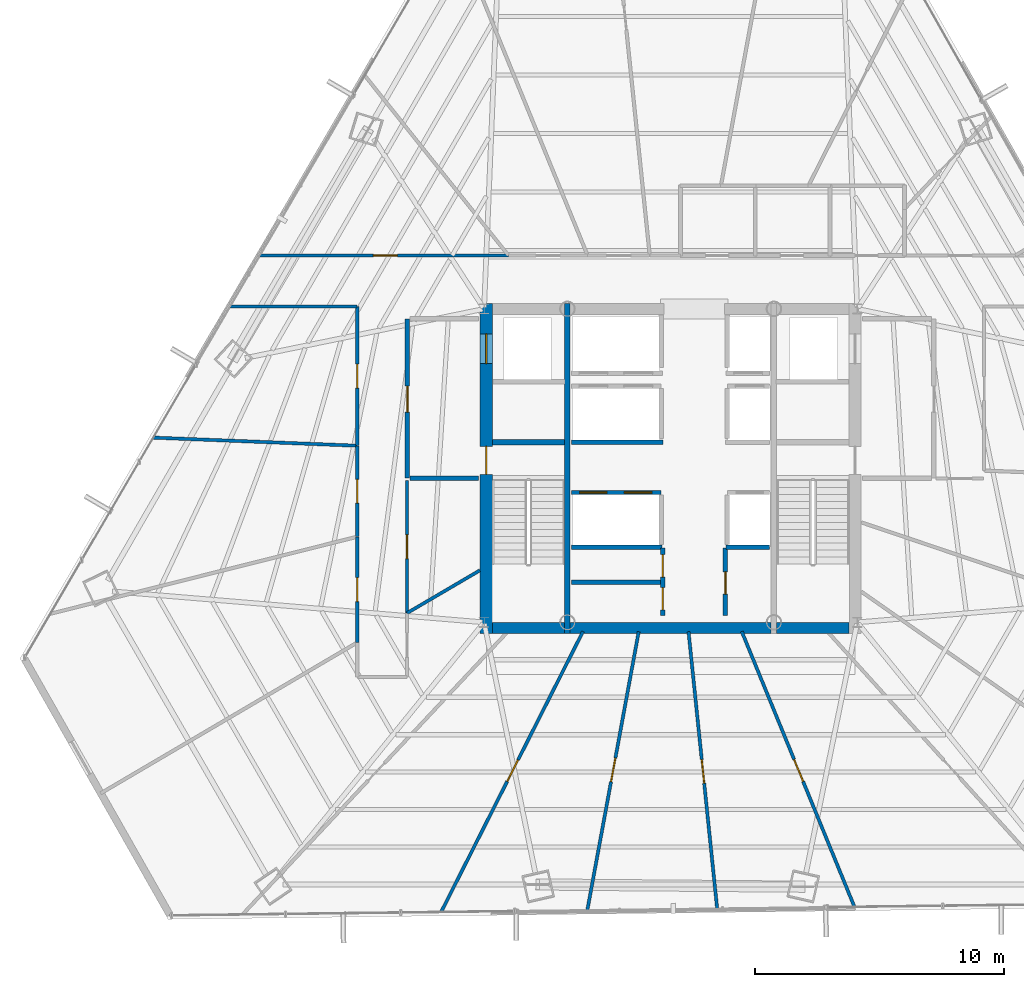
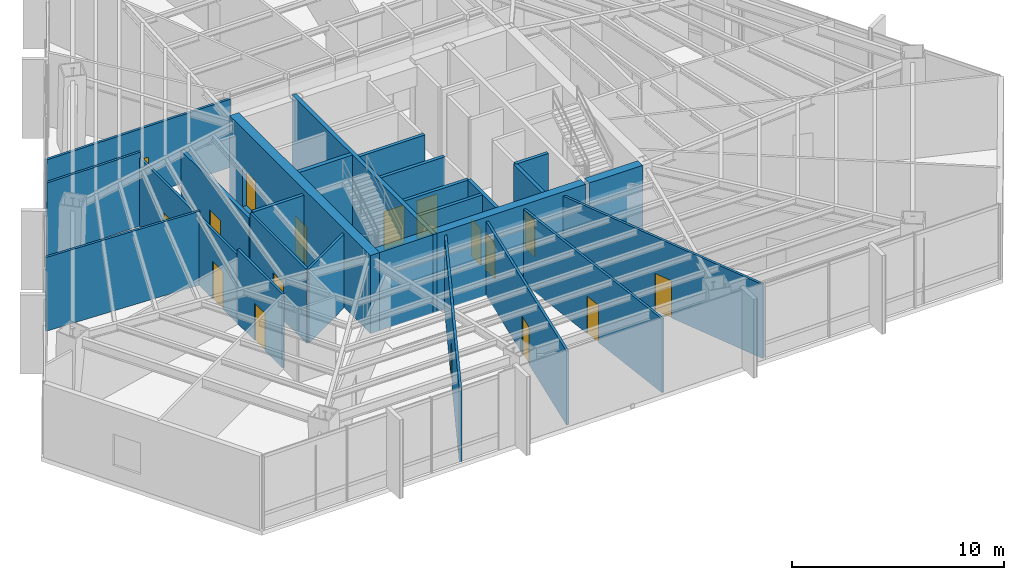
# One storey, part 31 of 37: 27 walls, 17 doors, 17 openings.
"""IFC4 building model written with IfcOpenShell, lengths in metres."""

import ifcopenshell
import ifcopenshell.guid

model = None  # the IFC model being written
_history = None  # IfcOwnerHistory: only IFC2X3 demands one
_inside = {}  # id of a spatial element -> (the spatial element, [elements in it])
_under = {}  # id of a project, library or spatial element -> (it, [spatial elements below it])
_declared = {}  # id of a project -> (the project, [libraries it declares])
_typed = {}  # id of a type object -> (the type object, [elements of that type])
_made_of = {}  # id of a material, layer set ... -> (it, [elements and type objects made of it])


def new_model(schema):
    """Start an empty IFC model of exactly this schema.

    Asked for "IFC4X3", IfcOpenShell would pick the latest addendum, in which some entities
    have other attributes; the version numbers below select the first issue.
    IFC2X3 requires an IfcOwnerHistory on every rooted entity: one is made here for all.
    """
    global model, _history
    if schema == "IFC4X3":
        model = ifcopenshell.file(schema_version=(4, 3, 0, 0))
    else:
        model = ifcopenshell.file(schema=schema)
    _inside.clear()
    _under.clear()
    _declared.clear()
    _typed.clear()
    _made_of.clear()
    _history = None
    if model.schema == "IFC2X3":
        org = make("IfcOrganization", Name="unknown")
        user = make(
            "IfcPersonAndOrganization",
            ThePerson=make("IfcPerson", FamilyName="unknown"),
            TheOrganization=org,
        )
        app = make(
            "IfcApplication",
            ApplicationDeveloper=org,
            Version="unknown",
            ApplicationFullName="unknown",
            ApplicationIdentifier="unknown",
        )
        _history = make(
            "IfcOwnerHistory",
            OwningUser=user,
            OwningApplication=app,
            ChangeAction="ADDED",
            CreationDate=0,
        )
    return model


def make(cls, **values):
    """One entity of the class cls with the attributes given. An attribute that is None is left unset."""
    return model.create_entity(
        cls, **{name: value for name, value in values.items() if value is not None}
    )


def rooted(cls, **values):
    """An entity with a GlobalId (a new one), such as an element, a storey or a relation."""
    return make(cls, GlobalId=ifcopenshell.guid.new(), OwnerHistory=_history, **values)


def si_unit(unit_type, name, prefix=None):
    """IfcSIUnit, for example si_unit("LENGTHUNIT", "METRE", prefix="MILLI")."""
    return make("IfcSIUnit", UnitType=unit_type, Prefix=prefix, Name=name)


def assignment(units):
    """IfcUnitAssignment: the units of a project."""
    return None if units is None else make("IfcUnitAssignment", Units=units)


def point(xyz):
    """IfcCartesianPoint."""
    return None if xyz is None else make("IfcCartesianPoint", Coordinates=xyz)


def direction(xyz):
    """IfcDirection."""
    return None if xyz is None else make("IfcDirection", DirectionRatios=xyz)


def frame(location, z_axis=None, x_axis=None):
    """IfcAxis2Placement3D, a coordinate frame: its origin and axes. An axis left out is left unset."""
    return make(
        "IfcAxis2Placement3D",
        Location=point(location),
        Axis=direction(z_axis),
        RefDirection=direction(x_axis),
    )


def frame_2d(location, x_axis=None):
    """IfcAxis2Placement2D, a coordinate frame in the plane: its origin and x axis."""
    return make(
        "IfcAxis2Placement2D", Location=point(location), RefDirection=direction(x_axis)
    )


def origin():
    """The frame at (0, 0, 0) with its axes left unset."""
    return frame((0.0, 0.0, 0.0))


def place(relative_to, where):
    """IfcLocalPlacement: puts the frame where relative to a parent placement (None: the world)."""
    return make(
        "IfcLocalPlacement", PlacementRelTo=relative_to, RelativePlacement=where
    )


def context(
    kind, dimensions, precision=None, world=None, true_north=None, identifier=None
):
    """IfcGeometricRepresentationContext, for example the 3D "Model" context."""
    return make(
        "IfcGeometricRepresentationContext",
        ContextIdentifier=identifier,
        ContextType=kind,
        CoordinateSpaceDimension=dimensions,
        Precision=precision,
        WorldCoordinateSystem=world,
        TrueNorth=true_north,
    )


def subcontext(parent, identifier, kind, view, scale=None):
    """IfcGeometricRepresentationSubContext, for example "Body" below "Model"."""
    return make(
        "IfcGeometricRepresentationSubContext",
        ContextIdentifier=identifier,
        ContextType=kind,
        ParentContext=parent,
        TargetScale=scale,
        TargetView=view,
    )


def project(units=None, contexts=None):
    """IfcProject with its units and contexts."""
    return rooted(
        "IfcProject",
        Name="project",
        RepresentationContexts=contexts,
        UnitsInContext=assignment(units),
    )


def spatial(cls, under=None, at=None, **own):
    """A site, building, storey or space (cls), placed at a placement, below another one or the project."""
    s = rooted(cls, ObjectPlacement=at, **own)
    if under is not None:
        _under.setdefault(under.id(), (under, []))[1].append(s)
    return s


def profile(cls, at=None, kind="AREA", **sizes):
    """A parametric profile (cls). Its sizes go by their IFC names, for example OverallWidth=200.0."""
    return make(cls, ProfileType=kind, Position=at, **sizes)


def rectangle(**sizes):
    """IfcRectangleProfileDef."""
    return profile("IfcRectangleProfileDef", **sizes)


def extrude(swept, where, along, depth):
    """IfcExtrudedAreaSolid: the profile swept, set in the frame where, extruded along a direction by depth."""
    return make(
        "IfcExtrudedAreaSolid",
        SweptArea=swept,
        Position=where,
        ExtrudedDirection=direction(along),
        Depth=depth,
    )


def shape(context_of_items, identifier, shape_type, items):
    """IfcShapeRepresentation: the items that make up one representation, for example the "Body"."""
    return make(
        "IfcShapeRepresentation",
        ContextOfItems=context_of_items,
        RepresentationIdentifier=identifier,
        RepresentationType=shape_type,
        Items=items,
    )


def material(Name=None, Category=None):
    """IfcMaterial."""
    return make("IfcMaterial", Name=Name, Category=Category)


def layer(
    of_material, thickness, ventilated=None, Name=None, Category=None, Priority=None
):
    """IfcMaterialLayer: one layer of a wall or slab, of a material (None: an air gap)."""
    return make(
        "IfcMaterialLayer",
        Material=of_material,
        LayerThickness=thickness,
        IsVentilated=ventilated,
        Name=Name,
        Category=Category,
        Priority=Priority,
    )


def layer_set(layers, Name=None):
    """IfcMaterialLayerSet."""
    return make("IfcMaterialLayerSet", MaterialLayers=layers, LayerSetName=Name)


def made_of(thing, what):
    """Note that an element or type object is made of a material, layer set ...; save() writes the relation."""
    if what is not None:
        _made_of.setdefault(what.id(), (what, []))[1].append(thing)
    return thing


def type_object(cls, material=None, **own):
    """A type object (cls), such as IfcWallType, which elements share."""
    return made_of(rooted(cls, **own), material)


def element(
    cls,
    number,
    at=None,
    inside=None,
    cuts=None,
    type_object=None,
    material=None,
    context=None,
    identifier="Body",
    shape_type=None,
    held_by="IfcProductDefinitionShape",
    body=None,
    shapes=None,
    **own,
):
    """One element of the class cls, such as IfcWall. Its Tag is "e" and its number.

    at: its placement. inside: the storey or other place that contains it. cuts: it is an
    opening in that element (IfcRelVoidsElement). A single representation is given by context,
    identifier, shape_type and body (its items); several are given by shapes. held_by: the class
    of the entity that holds the representations. save() writes the other relations.
    """
    e = rooted(cls, Tag="e%d" % number, ObjectPlacement=at, **own)
    if body is not None:
        shapes = [shape(context, identifier, shape_type, body)]
    if shapes is not None:
        e.Representation = make(held_by, Representations=shapes)
    if inside is not None:
        _inside.setdefault(inside.id(), (inside, []))[1].append(e)
    if cuts is not None:
        rooted(
            "IfcRelVoidsElement", RelatingBuildingElement=cuts, RelatedOpeningElement=e
        )
    if type_object is not None:
        _typed.setdefault(type_object.id(), (type_object, []))[1].append(e)
    return made_of(e, material)


def fill(opening, filler):
    """IfcRelFillsElement: the door or window that sits in an opening."""
    return rooted(
        "IfcRelFillsElement",
        RelatingOpeningElement=opening,
        RelatedBuildingElement=filler,
    )


def aggregate(whole, parts):
    """IfcRelAggregates: a whole, such as a stair, and the parts it consists of."""
    return rooted("IfcRelAggregates", RelatingObject=whole, RelatedObjects=parts)


def save(model, path):
    """Write the relations noted so far, then the file.

    IfcRelAggregates (storeys below a building ...), IfcRelContainedInSpatialStructure (elements
    in a storey), IfcRelDefinesByType, IfcRelAssociatesMaterial and IfcRelDeclares: one each for
    every whole, place, type object, material and project.
    """
    for whole, parts in _under.values():
        aggregate(whole, parts)
    for where, things in _inside.values():
        rooted(
            "IfcRelContainedInSpatialStructure",
            RelatedElements=things,
            RelatingStructure=where,
        )
    for kind, things in _typed.values():
        rooted("IfcRelDefinesByType", RelatedObjects=things, RelatingType=kind)
    for what, things in _made_of.values():
        rooted("IfcRelAssociatesMaterial", RelatedObjects=things, RelatingMaterial=what)
    for by, libraries in _declared.values():
        rooted("IfcRelDeclares", RelatingContext=by, RelatedDefinitions=libraries)
    model.write(path)


model = new_model("IFC4")

# Units and contexts
model_context = context("Model", 3, precision=1e-05, world=origin(), true_north=direction((0.0, 1.0)))
body_context = subcontext(model_context, "Body", "Model", "MODEL_VIEW")
ifc_project = project(units=[si_unit("LENGTHUNIT", "METRE"), si_unit("AREAUNIT", "SQUARE_METRE"), si_unit("VOLUMEUNIT", "CUBIC_METRE"), si_unit("PLANEANGLEUNIT", "RADIAN"), si_unit("MASSUNIT", "GRAM", prefix="KILO")], contexts=[model_context])

# Site, building, storey
site_placement = place(None, origin())
site = spatial("IfcSite", under=ifc_project, at=site_placement, CompositionType="ELEMENT")
building_placement = place(site_placement, origin())
building = spatial("IfcBuilding", under=site, at=building_placement, Name="Caelisora Broadcast Tower", CompositionType="ELEMENT")
storey_placement = place(building_placement, frame((0.0, 0.0, 127.300048828125)))
storey = spatial("IfcBuildingStorey", under=building, at=storey_placement, Name="L33", CompositionType="ELEMENT", Elevation=127.300048828125)

# Wall, openings, doors
ifc_material_1 = material(Name="Concrete 50 MPa (AS 3600 S50)", Category="concrete")
ifc_layer_1 = layer(ifc_material_1, 0.5, Name="Concrete 50 MPa (AS 3600 S50)")
ifc_layer_set_1 = layer_set([ifc_layer_1], Name="Concrete 50 MPa (AS 3600 S50)")
wall_type_1 = type_object("IfcWallType", Name="CW2", PredefinedType="SHEAR", material=ifc_layer_set_1)
wall_1_placement = place(storey_placement, frame((30.590087890625, 16.949951171875, 0.0), z_axis=(0.0, 0.0, 1.0), x_axis=(0.0, 1.0, 0.0)))
wall_1 = element("IfcWall", 1, at=wall_1_placement, inside=storey, type_object=wall_type_1, Name="L33 core shear wall CW2", PredefinedType="SHEAR", context=body_context, shape_type="SweptSolid", body=[
    extrude(rectangle(XDim=13.275146484375, YDim=0.5, at=frame_2d((6.6376953125, 0.0))), origin(), (0.0, 0.0, 1.0), 4.5),
])
opening_1_placement = place(wall_1_placement, frame((6.39990234375, 0.0, 0.0)))
opening_1 = element("IfcOpeningElement", 2, at=opening_1_placement, cuts=wall_1, Name="Opening FD04", PredefinedType="OPENING", context=body_context, shape_type="SweptSolid", body=[
    extrude(rectangle(XDim=1.1201171875, YDim=2.14990234375, at=frame_2d((0.56005859375, 1.074951171875))), frame((0.0, 0.261962890625, 0.0), z_axis=(0.0, -1.0, 0.0), x_axis=(1.0, 0.0, 0.0)), (0.0, 0.0, 1.0), 0.52392578125),
])
opening_2_placement = place(wall_1_placement, frame((10.85009765625, 0.0, 0.0)))
opening_2 = element("IfcOpeningElement", 3, at=opening_2_placement, cuts=wall_1, Name="Opening LD04", PredefinedType="OPENING", context=body_context, shape_type="SweptSolid", body=[
    extrude(rectangle(XDim=1.199951171875, YDim=2.199951171875, at=frame_2d((0.60009765625, 1.10009765625))), frame((0.0, 0.261962890625, 0.0), z_axis=(0.0, -1.0, 0.0), x_axis=(1.0, 0.0, 0.0)), (0.0, 0.0, 1.0), 0.52392578125),
])
ifc_material_2 = material(Name="Pressurised Fire-Isolated Stair Door", Category="steel")
door_type_1 = type_object("IfcDoorType", Name="FD04", OperationType="NOTDEFINED", PredefinedType="DOOR", material=ifc_material_2)
door_1_placement = place(opening_1_placement, origin())
door_1 = element("IfcDoor", 4, at=door_1_placement, inside=storey, type_object=door_type_1, Name="L33 door FD04 (L33-DR-ST1)", OperationType="SINGLE_SWING_LEFT", OverallHeight=2.14990234375, OverallWidth=1.1201171875, PredefinedType="DOOR", context=body_context, shape_type="SweptSolid", body=[
    extrude(rectangle(XDim=1.1201171875, YDim=2.14990234375, at=frame_2d((0.56005859375, 1.074951171875))), frame((0.0, 0.02490234375, 0.0), z_axis=(0.0, -1.0, 0.0), x_axis=(1.0, 0.0, 0.0)), (0.0, 0.0, 1.0), 0.050048828125),
])
fill(opening_1, door_1)
ifc_material_3 = material(Name="Emergency Firefighting Lift Sliding Landing Door", Category="steel")
door_type_2 = type_object("IfcDoorType", Name="LD04", OperationType="NOTDEFINED", PredefinedType="DOOR", material=ifc_material_3)
door_2_placement = place(opening_2_placement, origin())
door_2 = element("IfcDoor", 5, at=door_2_placement, inside=storey, type_object=door_type_2, Name="L33 door LD04 (L33-LD-FFL1)", OperationType="SLIDING_TO_LEFT", OverallHeight=2.199951171875, OverallWidth=1.199951171875, PredefinedType="DOOR", context=body_context, shape_type="SweptSolid", body=[
    extrude(rectangle(XDim=1.199951171875, YDim=2.199951171875, at=frame_2d((0.60009765625, 1.10009765625))), frame((0.0, 0.02490234375, 0.0), z_axis=(0.0, -1.0, 0.0), x_axis=(1.0, 0.0, 0.0)), (0.0, 0.0, 1.0), 0.050048828125),
])
fill(opening_2, door_2)

# Walls
ifc_layer_2 = layer(ifc_material_1, 0.449951171875, Name="Concrete 50 MPa (AS 3600 S50)")
ifc_layer_set_2 = layer_set([ifc_layer_2], Name="Concrete 50 MPa (AS 3600 S50)")
wall_type_2 = type_object("IfcWallType", Name="CW5", PredefinedType="SHEAR", material=ifc_layer_set_2)
wall_2_placement = place(storey_placement, frame((30.840087890625, 17.175048828125, 0.0), z_axis=(0.0, 0.0, 1.0), x_axis=(1.0, 0.0, 0.0)))
element("IfcWall", 6, at=wall_2_placement, inside=storey, type_object=wall_type_2, Name="L33 core shear wall CW5", PredefinedType="SHEAR", context=body_context, shape_type="SweptSolid", body=[
    extrude(rectangle(XDim=2.89990234375, YDim=0.449951171875, at=frame_2d((1.449951171875, 0.0))), origin(), (0.0, 0.0, 1.0), 4.5),
])
wall_3_placement = place(storey_placement, frame((33.9599609375, 17.175048828125, 0.0), z_axis=(0.0, 0.0, 1.0), x_axis=(1.0, 0.0, 0.0)))
element("IfcWall", 7, at=wall_3_placement, inside=storey, type_object=wall_type_2, Name="L33 core shear wall CW5", PredefinedType="SHEAR", context=body_context, shape_type="SweptSolid", body=[
    extrude(rectangle(XDim=8.080078125, YDim=0.449951171875, at=frame_2d((4.0400390625, 0.0))), origin(), (0.0, 0.0, 1.0), 4.5),
])
wall_4_placement = place(storey_placement, frame((42.260009765625, 17.175048828125, 0.0), z_axis=(0.0, 0.0, 1.0), x_axis=(1.0, 0.0, 0.0)))
element("IfcWall", 8, at=wall_4_placement, inside=storey, type_object=wall_type_2, Name="L33 core shear wall CW5", PredefinedType="SHEAR", context=body_context, shape_type="SweptSolid", body=[
    extrude(rectangle(XDim=2.89990234375, YDim=0.449951171875, at=frame_2d((1.449951171875, 0.0))), origin(), (0.0, 0.0, 1.0), 4.5),
])
ifc_layer_3 = layer(ifc_material_1, 0.219970703125, Name="Concrete 50 MPa (AS 3600 S50)")
ifc_layer_set_3 = layer_set([ifc_layer_3], Name="Concrete 50 MPa (AS 3600 S50)")
wall_type_3 = type_object("IfcWallType", Name="CW7", PredefinedType="SHEAR", material=ifc_layer_set_3)
wall_5_placement = place(storey_placement, frame((33.85009765625, 16.949951171875, 0.0), z_axis=(0.0, 0.0, 1.0), x_axis=(0.0, 1.0, 0.0)))
element("IfcWall", 9, at=wall_5_placement, inside=storey, type_object=wall_type_3, Name="L33 core shear wall CW7", PredefinedType="SHEAR", context=body_context, shape_type="SweptSolid", body=[
    extrude(rectangle(XDim=13.275146484375, YDim=0.219970703125, at=frame_2d((6.6376953125, 0.0))), origin(), (0.0, 0.0, 1.0), 4.5),
])
wall_6_placement = place(storey_placement, frame((30.840087890625, 24.639892578125, 0.0), z_axis=(0.0, 0.0, 1.0), x_axis=(1.0, 0.0, 0.0)))
element("IfcWall", 10, at=wall_6_placement, inside=storey, type_object=wall_type_3, Name="L33 core shear wall CW7", PredefinedType="SHEAR", context=body_context, shape_type="SweptSolid", body=[
    extrude(rectangle(XDim=2.89990234375, YDim=0.219970703125, at=frame_2d((1.449951171875, 0.0))), origin(), (0.0, 0.0, 1.0), 4.5),
])

# Wall, openings, doors
ifc_material_4 = material(Name="Fire-Rated Gypsum Shaft and Compartment Wall", Category="gypsum")
ifc_layer_4 = layer(ifc_material_4, 0.179931640625, Name="Fire-Rated Gypsum Shaft and Compartment Wall")
ifc_layer_set_4 = layer_set([ifc_layer_4], Name="Fire-Rated Gypsum Shaft and Compartment Wall")
wall_type_4 = type_object("IfcWallType", Name="PW2", PredefinedType="PARTITIONING", material=ifc_layer_set_4)
wall_7_placement = place(storey_placement, frame((34.02001953125, 22.6201171875, 0.0), z_axis=(0.0, 0.0, 1.0), x_axis=(1.0, 0.0, 0.0)))
wall_7 = element("IfcWall", 11, at=wall_7_placement, inside=storey, type_object=wall_type_4, Name="L33 fire compartment wall PW2", PredefinedType="PARTITIONING", context=body_context, shape_type="SweptSolid", body=[
    extrude(rectangle(XDim=3.60009765625, YDim=0.179931640625, at=frame_2d((1.800048828125, 0.0))), origin(), (0.0, 0.0, 1.0), 4.25),
])
opening_3_placement = place(wall_7_placement, frame((0.320068359375, 0.0, 0.0)))
opening_3 = element("IfcOpeningElement", 12, at=opening_3_placement, cuts=wall_7, Name="Opening LD01", PredefinedType="OPENING", context=body_context, shape_type="SweptSolid", body=[
    extrude(rectangle(XDim=1.10009765625, YDim=2.199951171875, at=frame_2d((0.550048828125, 1.10009765625))), frame((0.0, 0.10205078125, 0.0), z_axis=(0.0, -1.0, 0.0), x_axis=(1.0, 0.0, 0.0)), (0.0, 0.0, 1.0), 0.203857421875),
])
opening_4_placement = place(wall_7_placement, frame((2.1201171875, 0.0, 0.0)))
opening_4 = element("IfcOpeningElement", 13, at=opening_4_placement, cuts=wall_7, Name="Opening LD01", PredefinedType="OPENING", context=body_context, shape_type="SweptSolid", body=[
    extrude(rectangle(XDim=1.10009765625, YDim=2.199951171875, at=frame_2d((0.550048828125, 1.10009765625))), frame((0.0, 0.10205078125, 0.0), z_axis=(0.0, -1.0, 0.0), x_axis=(1.0, 0.0, 0.0)), (0.0, 0.0, 1.0), 0.203857421875),
])
ifc_material_5 = material(Name="Stainless Steel Centre-Parting Lift Landing Door", Category="steel")
door_type_3 = type_object("IfcDoorType", Name="LD01", OperationType="NOTDEFINED", PredefinedType="DOOR", material=ifc_material_5)
door_3_placement = place(opening_3_placement, origin())
door_3 = element("IfcDoor", 14, at=door_3_placement, inside=storey, type_object=door_type_3, Name="L33 door LD01 (L33-LD-PLL1)", OperationType="SLIDING_TO_LEFT", OverallHeight=2.199951171875, OverallWidth=1.10009765625, PredefinedType="DOOR", context=body_context, shape_type="SweptSolid", body=[
    extrude(rectangle(XDim=1.10009765625, YDim=2.199951171875, at=frame_2d((0.550048828125, 1.10009765625))), frame((0.0, 0.02490234375, 0.0), z_axis=(0.0, -1.0, 0.0), x_axis=(1.0, 0.0, 0.0)), (0.0, 0.0, 1.0), 0.050048828125),
])
fill(opening_3, door_3)
door_4_placement = place(opening_4_placement, origin())
door_4 = element("IfcDoor", 15, at=door_4_placement, inside=storey, type_object=door_type_3, Name="L33 door LD01 (L33-LD-PLL2)", OperationType="SLIDING_TO_RIGHT", OverallHeight=2.199951171875, OverallWidth=1.10009765625, PredefinedType="DOOR", context=body_context, shape_type="SweptSolid", body=[
    extrude(rectangle(XDim=1.10009765625, YDim=2.199951171875, at=frame_2d((0.550048828125, 1.10009765625))), frame((0.0, 0.02490234375, 0.0), z_axis=(0.0, -1.0, 0.0), x_axis=(1.0, 0.0, 0.0)), (0.0, 0.0, 1.0), 0.050048828125),
])
fill(opening_4, door_4)

# Wall
wall_8_placement = place(storey_placement, frame((34.02001953125, 24.639892578125, 0.0), z_axis=(0.0, 0.0, 1.0), x_axis=(1.0, 0.0, 0.0)))
element("IfcWall", 16, at=wall_8_placement, inside=storey, type_object=wall_type_4, Name="L33 fire compartment wall PW2", PredefinedType="PARTITIONING", context=body_context, shape_type="SweptSolid", body=[
    extrude(rectangle(XDim=3.679931640625, YDim=0.179931640625, at=frame_2d((1.83984375, 0.0))), origin(), (0.0, 0.0, 1.0), 4.25),
])

# Wall, opening, door
wall_9_placement = place(storey_placement, frame((27.419921875, 23.199951171875, 0.0), z_axis=(0.0, 0.0, 1.0), x_axis=(0.0, 1.0, 0.0)))
wall_9 = element("IfcWall", 17, at=wall_9_placement, inside=storey, type_object=wall_type_4, Name="L33 fire compartment wall PW2", PredefinedType="PARTITIONING", context=body_context, shape_type="SweptSolid", body=[
    extrude(rectangle(XDim=6.400146484375, YDim=0.179931640625, at=frame_2d((3.2001953125, 0.0))), origin(), (0.0, 0.0, 1.0), 3.927734375),
])
opening_5_placement = place(wall_9_placement, frame((2.64990234375, 0.0, 0.0)))
opening_5 = element("IfcOpeningElement", 18, at=opening_5_placement, cuts=wall_9, Name="Opening FD02", PredefinedType="OPENING", context=body_context, shape_type="SweptSolid", body=[
    extrude(rectangle(XDim=1.050048828125, YDim=2.14990234375, at=frame_2d((0.52490234375, 1.074951171875))), frame((0.0, 0.10205078125, 0.0), z_axis=(0.0, -1.0, 0.0), x_axis=(1.0, 0.0, 0.0)), (0.0, 0.0, 1.0), 0.203857421875),
])
ifc_material_6 = material(Name="Single-Leaf Steel Fire Lobby Door", Category="steel")
door_type_4 = type_object("IfcDoorType", Name="FD02", OperationType="NOTDEFINED", PredefinedType="DOOR", material=ifc_material_6)
door_5_placement = place(opening_5_placement, origin())
door_5 = element("IfcDoor", 19, at=door_5_placement, inside=storey, type_object=door_type_4, Name="L33 door FD02 (L33-DR-P01D1)", OperationType="SINGLE_SWING_LEFT", OverallHeight=2.14990234375, OverallWidth=1.050048828125, PredefinedType="DOOR", context=body_context, shape_type="SweptSolid", body=[
    extrude(rectangle(XDim=1.050048828125, YDim=2.14990234375, at=frame_2d((0.52490234375, 1.074951171875))), frame((0.0, 0.02490234375, 0.0), z_axis=(0.0, -1.0, 0.0), x_axis=(1.0, 0.0, 0.0)), (0.0, 0.0, 1.0), 0.050048828125),
])
fill(opening_5, door_5)

# Walls
wall_10_placement = place(storey_placement, frame((27.52001953125, 23.199951171875, 0.0), z_axis=(0.0, 0.0, 1.0), x_axis=(1.0, 0.0, 0.0)))
element("IfcWall", 20, at=wall_10_placement, inside=storey, type_object=wall_type_4, Name="L33 fire compartment wall PW2", PredefinedType="PARTITIONING", context=body_context, shape_type="SweptSolid", body=[
    extrude(rectangle(XDim=2.760009765625, YDim=0.179931640625, at=frame_2d((1.3798828125, 0.0))), origin(), (0.0, 0.0, 1.0), 4.25),
])
wall_11_placement = place(storey_placement, frame((34.02001953125, 20.419921875, 0.0), z_axis=(0.0, 0.0, 1.0), x_axis=(1.0, 0.0, 0.0)))
element("IfcWall", 21, at=wall_11_placement, inside=storey, type_object=wall_type_4, Name="L33 fire compartment wall PW2", PredefinedType="PARTITIONING", context=body_context, shape_type="SweptSolid", body=[
    extrude(rectangle(XDim=3.639892578125, YDim=0.179931640625, at=frame_2d((1.81982421875, 0.0))), origin(), (0.0, 0.0, 1.0), 4.25),
])
wall_12_placement = place(storey_placement, frame((40.219970703125, 20.419921875, 0.0), z_axis=(0.0, 0.0, 1.0), x_axis=(1.0, 0.0, 0.0)))
element("IfcWall", 22, at=wall_12_placement, inside=storey, type_object=wall_type_4, Name="L33 fire compartment wall PW2", PredefinedType="PARTITIONING", context=body_context, shape_type="SweptSolid", body=[
    extrude(rectangle(XDim=1.760009765625, YDim=0.179931640625, at=frame_2d((0.8798828125, 0.0))), origin(), (0.0, 0.0, 1.0), 4.25),
])
wall_13_placement = place(storey_placement, frame((34.02001953125, 19.02001953125, 0.0), z_axis=(0.0, 0.0, 1.0), x_axis=(1.0, 0.0, 0.0)))
element("IfcWall", 23, at=wall_13_placement, inside=storey, type_object=wall_type_4, Name="L33 fire compartment wall PW2", PredefinedType="PARTITIONING", context=body_context, shape_type="SweptSolid", body=[
    extrude(rectangle(XDim=3.580078125, YDim=0.179931640625, at=frame_2d((1.7900390625, 0.0))), origin(), (0.0, 0.0, 1.0), 4.25),
])

# Wall, openings, doors
wall_14_placement = place(storey_placement, frame((37.679931640625, 17.679931640625, 0.0), z_axis=(0.0, 0.0, 1.0), x_axis=(0.0, 1.0, 0.0)))
wall_14 = element("IfcWall", 24, at=wall_14_placement, inside=storey, type_object=wall_type_4, Name="L33 fire compartment wall PW2", PredefinedType="PARTITIONING", context=body_context, shape_type="SweptSolid", body=[
    extrude(rectangle(XDim=2.699951171875, YDim=0.179931640625, at=frame_2d((1.35009765625, 0.0))), origin(), (0.0, 0.0, 1.0), 4.25),
])
opening_6_placement = place(wall_14_placement, frame((0.219970703125, 0.0, 0.0)))
opening_6 = element("IfcOpeningElement", 25, at=opening_6_placement, cuts=wall_14, Name="Opening FD03", PredefinedType="OPENING", context=body_context, shape_type="SweptSolid", body=[
    extrude(rectangle(XDim=0.89990234375, YDim=2.10009765625, at=frame_2d((0.449951171875, 1.050048828125))), frame((0.0, 0.10205078125, 0.0), z_axis=(0.0, -1.0, 0.0), x_axis=(1.0, 0.0, 0.0)), (0.0, 0.0, 1.0), 0.203857421875),
])
opening_7_placement = place(wall_14_placement, frame((1.5400390625, 0.0, 0.0)))
opening_7 = element("IfcOpeningElement", 26, at=opening_7_placement, cuts=wall_14, Name="Opening FD03", PredefinedType="OPENING", context=body_context, shape_type="SweptSolid", body=[
    extrude(rectangle(XDim=0.89990234375, YDim=2.10009765625, at=frame_2d((0.449951171875, 1.050048828125))), frame((0.0, 0.10205078125, 0.0), z_axis=(0.0, -1.0, 0.0), x_axis=(1.0, 0.0, 0.0)), (0.0, 0.0, 1.0), 0.203857421875),
])
ifc_material_7 = material(Name="Single-Leaf Steel Riser Fire Access Door", Category="steel")
door_type_5 = type_object("IfcDoorType", Name="FD03", OperationType="NOTDEFINED", PredefinedType="DOOR", material=ifc_material_7)
door_6_placement = place(opening_6_placement, origin())
door_6 = element("IfcDoor", 27, at=door_6_placement, inside=storey, type_object=door_type_5, Name="L33 door FD03 (L33-DR-P12D1)", OperationType="SINGLE_SWING_LEFT", OverallHeight=2.10009765625, OverallWidth=0.89990234375, PredefinedType="DOOR", context=body_context, shape_type="SweptSolid", body=[
    extrude(rectangle(XDim=0.89990234375, YDim=2.10009765625, at=frame_2d((0.449951171875, 1.050048828125))), frame((0.0, 0.02490234375, 0.0), z_axis=(0.0, -1.0, 0.0), x_axis=(1.0, 0.0, 0.0)), (0.0, 0.0, 1.0), 0.050048828125),
])
fill(opening_6, door_6)
door_7_placement = place(opening_7_placement, origin())
door_7 = element("IfcDoor", 28, at=door_7_placement, inside=storey, type_object=door_type_5, Name="L33 door FD03 (L33-DR-P12D2)", OperationType="SINGLE_SWING_RIGHT", OverallHeight=2.10009765625, OverallWidth=0.89990234375, PredefinedType="DOOR", context=body_context, shape_type="SweptSolid", body=[
    extrude(rectangle(XDim=0.89990234375, YDim=2.10009765625, at=frame_2d((0.449951171875, 1.050048828125))), frame((0.0, 0.02490234375, 0.0), z_axis=(0.0, -1.0, 0.0), x_axis=(1.0, 0.0, 0.0)), (0.0, 0.0, 1.0), 0.050048828125),
])
fill(opening_7, door_7)

# Wall, opening, door
wall_15_placement = place(storey_placement, frame((40.199951171875, 17.679931640625, 0.0), z_axis=(0.0, 0.0, 1.0), x_axis=(0.0, 1.0, 0.0)))
wall_15 = element("IfcWall", 29, at=wall_15_placement, inside=storey, type_object=wall_type_4, Name="L33 fire compartment wall PW2", PredefinedType="PARTITIONING", context=body_context, shape_type="SweptSolid", body=[
    extrude(rectangle(XDim=2.699951171875, YDim=0.179931640625, at=frame_2d((1.35009765625, 0.0))), origin(), (0.0, 0.0, 1.0), 4.25),
])
opening_8_placement = place(wall_15_placement, frame((0.85009765625, 0.0, 0.0)))
opening_8 = element("IfcOpeningElement", 30, at=opening_8_placement, cuts=wall_15, Name="Opening FD03", PredefinedType="OPENING", context=body_context, shape_type="SweptSolid", body=[
    extrude(rectangle(XDim=0.89990234375, YDim=2.10009765625, at=frame_2d((0.449951171875, 1.050048828125))), frame((0.0, 0.10205078125, 0.0), z_axis=(0.0, -1.0, 0.0), x_axis=(1.0, 0.0, 0.0)), (0.0, 0.0, 1.0), 0.203857421875),
])
door_8_placement = place(opening_8_placement, origin())
door_8 = element("IfcDoor", 31, at=door_8_placement, inside=storey, type_object=door_type_5, Name="L33 door FD03 (L33-DR-P13D1)", OperationType="SINGLE_SWING_LEFT", OverallHeight=2.10009765625, OverallWidth=0.89990234375, PredefinedType="DOOR", context=body_context, shape_type="SweptSolid", body=[
    extrude(rectangle(XDim=0.89990234375, YDim=2.10009765625, at=frame_2d((0.449951171875, 1.050048828125))), frame((0.0, 0.02490234375, 0.0), z_axis=(0.0, -1.0, 0.0), x_axis=(1.0, 0.0, 0.0)), (0.0, 0.0, 1.0), 0.050048828125),
])
fill(opening_8, door_8)

ifc_material_8 = material(Name="Acoustic Steel-Stud Plasterboard Partition", Category="gypsum")
ifc_layer_5 = layer(ifc_material_8, 0.1298828125, Name="Acoustic Steel-Stud Plasterboard Partition")
ifc_layer_set_5 = layer_set([ifc_layer_5], Name="Acoustic Steel-Stud Plasterboard Partition")
wall_type_5 = type_object("IfcWallType", Name="PW3", PredefinedType="PARTITIONING", material=ifc_layer_set_5)
wall_16_placement = place(storey_placement, frame((28.768798828125, 5.74658203125, 0.0), z_axis=(0.0, 0.0, 1.0), x_axis=(0.451262780951, 0.892391115223, 0.0)))
wall_16 = element("IfcWall", 32, at=wall_16_placement, inside=storey, type_object=wall_type_5, Name="L33 internal partition PW3", PredefinedType="PARTITIONING", context=body_context, shape_type="SweptSolid", body=[
    extrude(rectangle(XDim=12.6474609375, YDim=0.1298828125, at=frame_2d((6.32373046875, 0.0))), origin(), (0.0, 0.0, 1.0), 4.25),
])
opening_9_placement = place(wall_16_placement, frame((5.89794921875, 0.0, 0.0)))
opening_9 = element("IfcOpeningElement", 33, at=opening_9_placement, cuts=wall_16, Name="Opening D01", PredefinedType="OPENING", context=body_context, shape_type="SweptSolid", body=[
    extrude(rectangle(XDim=0.9599609375, YDim=2.14990234375, at=frame_2d((0.47998046875, 1.074951171875))), frame((0.0, 0.076904296875, 0.0), z_axis=(0.0, -1.0, 0.0), x_axis=(1.0, 0.0, 0.0)), (0.0, 0.0, 1.0), 0.15380859375),
])
ifc_material_9 = material(Name="Solid-Core Timber Acoustic Office Door", Category="wood")
door_type_6 = type_object("IfcDoorType", Name="D01", OperationType="NOTDEFINED", PredefinedType="DOOR", material=ifc_material_9)
door_9_placement = place(opening_9_placement, origin())
door_9 = element("IfcDoor", 34, at=door_9_placement, inside=storey, type_object=door_type_6, Name="L33 door D01 (L33-DR-P35D1)", OperationType="SINGLE_SWING_LEFT", OverallHeight=2.14990234375, OverallWidth=0.9599609375, PredefinedType="DOOR", context=body_context, shape_type="SweptSolid", body=[
    extrude(rectangle(XDim=0.9599609375, YDim=2.14990234375, at=frame_2d((0.47998046875, 1.074951171875))), frame((0.0, 0.02490234375, 0.0), z_axis=(0.0, -1.0, 0.0), x_axis=(1.0, 0.0, 0.0)), (0.0, 0.0, 1.0), 0.050048828125),
])
fill(opening_9, door_9)

wall_17_placement = place(storey_placement, frame((40.85791015625, 17.031005859375, 0.0), z_axis=(0.0, 0.0, 1.0), x_axis=(0.37877899571, -0.925487154103, 0.0)))
wall_17 = element("IfcWall", 35, at=wall_17_placement, inside=storey, type_object=wall_type_5, Name="L33 internal partition PW3", PredefinedType="PARTITIONING", context=body_context, shape_type="SweptSolid", body=[
    extrude(rectangle(XDim=11.968017578125, YDim=0.1298828125, at=frame_2d((5.98388671875, 0.0))), origin(), (0.0, 0.0, 1.0), 4.25),
])
opening_10_placement = place(wall_17_placement, frame((5.554931640625, 0.0, 0.0)))
opening_10 = element("IfcOpeningElement", 36, at=opening_10_placement, cuts=wall_17, Name="Opening D01", PredefinedType="OPENING", context=body_context, shape_type="SweptSolid", body=[
    extrude(rectangle(XDim=0.9599609375, YDim=2.14990234375, at=frame_2d((0.47998046875, 1.074951171875))), frame((0.0, 0.076904296875, 0.0), z_axis=(0.0, -1.0, 0.0), x_axis=(1.0, 0.0, 0.0)), (0.0, 0.0, 1.0), 0.15380859375),
])
door_10_placement = place(opening_10_placement, origin())
door_10 = element("IfcDoor", 37, at=door_10_placement, inside=storey, type_object=door_type_6, Name="L33 door D01 (L33-DR-P36D1)", OperationType="SINGLE_SWING_RIGHT", OverallHeight=2.14990234375, OverallWidth=0.9599609375, PredefinedType="DOOR", context=body_context, shape_type="SweptSolid", body=[
    extrude(rectangle(XDim=0.9599609375, YDim=2.14990234375, at=frame_2d((0.47998046875, 1.074951171875))), frame((0.0, 0.02490234375, 0.0), z_axis=(0.0, -1.0, 0.0), x_axis=(1.0, 0.0, 0.0)), (0.0, 0.0, 1.0), 0.050048828125),
])
fill(opening_10, door_10)

wall_18_placement = place(storey_placement, frame((34.6484375, 5.8203125, 0.0), z_axis=(0.0, 0.0, 1.0), x_axis=(0.181454718714, 0.983399300923, 0.0)))
wall_18 = element("IfcWall", 38, at=wall_18_placement, inside=storey, type_object=wall_type_5, Name="L33 internal partition PW3", PredefinedType="PARTITIONING", context=body_context, shape_type="SweptSolid", body=[
    extrude(rectangle(XDim=11.394775390625, YDim=0.1298828125, at=frame_2d((5.697265625, 0.0))), origin(), (0.0, 0.0, 1.0), 4.25),
])
opening_11_placement = place(wall_18_placement, frame((5.26806640625, 0.0, 0.0)))
opening_11 = element("IfcOpeningElement", 39, at=opening_11_placement, cuts=wall_18, Name="Opening D01", PredefinedType="OPENING", context=body_context, shape_type="SweptSolid", body=[
    extrude(rectangle(XDim=0.9599609375, YDim=2.14990234375, at=frame_2d((0.47998046875, 1.074951171875))), frame((0.0, 0.076904296875, 0.0), z_axis=(0.0, -1.0, 0.0), x_axis=(1.0, 0.0, 0.0)), (0.0, 0.0, 1.0), 0.15380859375),
])
door_11_placement = place(opening_11_placement, origin())
door_11 = element("IfcDoor", 40, at=door_11_placement, inside=storey, type_object=door_type_6, Name="L33 door D01 (L33-DR-P38D1)", OperationType="SINGLE_SWING_LEFT", OverallHeight=2.14990234375, OverallWidth=0.9599609375, PredefinedType="DOOR", context=body_context, shape_type="SweptSolid", body=[
    extrude(rectangle(XDim=0.9599609375, YDim=2.14990234375, at=frame_2d((0.47998046875, 1.074951171875))), frame((0.0, 0.02490234375, 0.0), z_axis=(0.0, -1.0, 0.0), x_axis=(1.0, 0.0, 0.0)), (0.0, 0.0, 1.0), 0.050048828125),
])
fill(opening_11, door_11)

wall_19_placement = place(storey_placement, frame((38.718017578125, 17.02490234375, 0.0), z_axis=(0.0, 0.0, 1.0), x_axis=(0.102876837546, -0.994694101871, 0.0)))
wall_19 = element("IfcWall", 41, at=wall_19_placement, inside=storey, type_object=wall_type_5, Name="L33 internal partition PW3", PredefinedType="PARTITIONING", context=body_context, shape_type="SweptSolid", body=[
    extrude(rectangle(XDim=11.19873046875, YDim=0.1298828125, at=frame_2d((5.599365234375, 0.0))), origin(), (0.0, 0.0, 1.0), 4.25),
])
opening_12_placement = place(wall_19_placement, frame((5.1669921875, 0.0, 0.0)))
opening_12 = element("IfcOpeningElement", 42, at=opening_12_placement, cuts=wall_19, Name="Opening D01", PredefinedType="OPENING", context=body_context, shape_type="SweptSolid", body=[
    extrude(rectangle(XDim=0.9599609375, YDim=2.14990234375, at=frame_2d((0.47998046875, 1.074951171875))), frame((0.0, 0.076904296875, 0.0), z_axis=(0.0, -1.0, 0.0), x_axis=(1.0, 0.0, 0.0)), (0.0, 0.0, 1.0), 0.15380859375),
])
door_12_placement = place(opening_12_placement, origin())
door_12 = element("IfcDoor", 43, at=door_12_placement, inside=storey, type_object=door_type_6, Name="L33 door D01 (L33-DR-P39D1)", OperationType="SINGLE_SWING_RIGHT", OverallHeight=2.14990234375, OverallWidth=0.9599609375, PredefinedType="DOOR", context=body_context, shape_type="SweptSolid", body=[
    extrude(rectangle(XDim=0.9599609375, YDim=2.14990234375, at=frame_2d((0.47998046875, 1.074951171875))), frame((0.0, 0.02490234375, 0.0), z_axis=(0.0, -1.0, 0.0), x_axis=(1.0, 0.0, 0.0)), (0.0, 0.0, 1.0), 0.050048828125),
])
fill(opening_12, door_12)

wall_20_placement = place(storey_placement, frame((21.48193359375, 32.14990234375, 0.0), z_axis=(0.0, 0.0, 1.0), x_axis=(1.0, 0.0, 0.0)))
wall_20 = element("IfcWall", 44, at=wall_20_placement, inside=storey, type_object=wall_type_5, Name="L33 internal partition PW3", PredefinedType="PARTITIONING", context=body_context, shape_type="SweptSolid", body=[
    extrude(rectangle(XDim=9.9931640625, YDim=0.1298828125, at=frame_2d((4.99658203125, 0.0))), origin(), (0.0, 0.0, 1.0), 3.927734375),
])
opening_13_placement = place(wall_20_placement, frame((4.572021484375, 0.0, 0.0)))
opening_13 = element("IfcOpeningElement", 45, at=opening_13_placement, cuts=wall_20, Name="Opening D01", PredefinedType="OPENING", context=body_context, shape_type="SweptSolid", body=[
    extrude(rectangle(XDim=0.9599609375, YDim=2.14990234375, at=frame_2d((0.47998046875, 1.074951171875))), frame((0.0, 0.076904296875, 0.0), z_axis=(0.0, -1.0, 0.0), x_axis=(1.0, 0.0, 0.0)), (0.0, 0.0, 1.0), 0.15380859375),
])
door_13_placement = place(opening_13_placement, origin())
door_13 = element("IfcDoor", 46, at=door_13_placement, inside=storey, type_object=door_type_6, Name="L33 door D01 (L33-DR-P41D1)", OperationType="SINGLE_SWING_LEFT", OverallHeight=2.14990234375, OverallWidth=0.9599609375, PredefinedType="DOOR", context=body_context, shape_type="SweptSolid", body=[
    extrude(rectangle(XDim=0.9599609375, YDim=2.14990234375, at=frame_2d((0.47998046875, 1.074951171875))), frame((0.0, 0.02490234375, 0.0), z_axis=(0.0, -1.0, 0.0), x_axis=(1.0, 0.0, 0.0)), (0.0, 0.0, 1.0), 0.050048828125),
])
fill(opening_13, door_13)

# Wall
wall_21_placement = place(storey_placement, frame((17.201904296875, 24.825439453125, 0.0), z_axis=(0.0, 0.0, 1.0), x_axis=(0.999212049852, -0.039689789995, 0.0)))
element("IfcWall", 47, at=wall_21_placement, inside=storey, type_object=wall_type_5, Name="L33 internal partition PW3", PredefinedType="PARTITIONING", context=body_context, shape_type="SweptSolid", body=[
    extrude(rectangle(XDim=8.199462890625, YDim=0.1298828125, at=frame_2d((4.099609375, 0.0))), origin(), (0.0, 0.0, 1.0), 4.25),
])

# Wall, opening, door
wall_22_placement = place(storey_placement, frame((25.39990234375, 30.094970703125, 0.0), z_axis=(0.0, 0.0, 1.0), x_axis=(0.0, -1.0, 0.0)))
wall_22 = element("IfcWall", 48, at=wall_22_placement, inside=storey, type_object=wall_type_5, Name="L33 internal partition PW3", PredefinedType="PARTITIONING", context=body_context, shape_type="SweptSolid", body=[
    extrude(rectangle(XDim=5.590087890625, YDim=0.1298828125, at=frame_2d((2.794921875, 0.0))), origin(), (0.0, 0.0, 1.0), 3.927734375),
])
opening_14_placement = place(wall_22_placement, frame((2.31494140625, 0.0, 0.0)))
opening_14 = element("IfcOpeningElement", 49, at=opening_14_placement, cuts=wall_22, Name="Opening D01", PredefinedType="OPENING", context=body_context, shape_type="SweptSolid", body=[
    extrude(rectangle(XDim=0.9599609375, YDim=2.14990234375, at=frame_2d((0.47998046875, 1.074951171875))), frame((0.0, 0.076904296875, 0.0), z_axis=(0.0, -1.0, 0.0), x_axis=(1.0, 0.0, 0.0)), (0.0, 0.0, 1.0), 0.15380859375),
])
door_14_placement = place(opening_14_placement, origin())
door_14 = element("IfcDoor", 50, at=door_14_placement, inside=storey, type_object=door_type_6, Name="L33 door D01 (L33-DR-P48D1)", OperationType="SINGLE_SWING_RIGHT", OverallHeight=2.14990234375, OverallWidth=0.9599609375, PredefinedType="DOOR", context=body_context, shape_type="SweptSolid", body=[
    extrude(rectangle(XDim=0.9599609375, YDim=2.14990234375, at=frame_2d((0.47998046875, 1.074951171875))), frame((0.0, 0.02490234375, 0.0), z_axis=(0.0, -1.0, 0.0), x_axis=(1.0, 0.0, 0.0)), (0.0, 0.0, 1.0), 0.050048828125),
])
fill(opening_14, door_14)

wall_23_placement = place(storey_placement, frame((27.39990234375, 17.77490234375, 0.0), z_axis=(0.0, 0.0, 1.0), x_axis=(0.0, 1.0, 0.0)))
wall_23 = element("IfcWall", 51, at=wall_23_placement, inside=storey, type_object=wall_type_5, Name="L33 internal partition PW3", PredefinedType="PARTITIONING", context=body_context, shape_type="SweptSolid", body=[
    extrude(rectangle(XDim=5.330078125, YDim=0.1298828125, at=frame_2d((2.6650390625, 0.0))), origin(), (0.0, 0.0, 1.0), 4.25),
])
opening_15_placement = place(wall_23_placement, frame((2.18505859375, 0.0, 0.0)))
opening_15 = element("IfcOpeningElement", 52, at=opening_15_placement, cuts=wall_23, Name="Opening D01", PredefinedType="OPENING", context=body_context, shape_type="SweptSolid", body=[
    extrude(rectangle(XDim=0.9599609375, YDim=2.14990234375, at=frame_2d((0.47998046875, 1.074951171875))), frame((0.0, 0.076904296875, 0.0), z_axis=(0.0, -1.0, 0.0), x_axis=(1.0, 0.0, 0.0)), (0.0, 0.0, 1.0), 0.15380859375),
])
door_15_placement = place(opening_15_placement, origin())
door_15 = element("IfcDoor", 53, at=door_15_placement, inside=storey, type_object=door_type_6, Name="L33 door D01 (L33-DR-P49D1)", OperationType="SINGLE_SWING_LEFT", OverallHeight=2.14990234375, OverallWidth=0.9599609375, PredefinedType="DOOR", context=body_context, shape_type="SweptSolid", body=[
    extrude(rectangle(XDim=0.9599609375, YDim=2.14990234375, at=frame_2d((0.47998046875, 1.074951171875))), frame((0.0, 0.02490234375, 0.0), z_axis=(0.0, -1.0, 0.0), x_axis=(1.0, 0.0, 0.0)), (0.0, 0.0, 1.0), 0.050048828125),
])
fill(opening_15, door_15)

# Wall
wall_24_placement = place(storey_placement, frame((20.283935546875, 30.10009765625, 0.0), z_axis=(0.0, 0.0, 1.0), x_axis=(1.0, 0.0, 0.0)))
element("IfcWall", 54, at=wall_24_placement, inside=storey, type_object=wall_type_5, Name="L33 internal partition PW3", PredefinedType="PARTITIONING", context=body_context, shape_type="SweptSolid", body=[
    extrude(rectangle(XDim=5.111083984375, YDim=0.1298828125, at=frame_2d((2.5556640625, 0.0))), origin(), (0.0, 0.0, 1.0), 4.25),
])

# Wall, opening, door
wall_25_placement = place(storey_placement, frame((25.39990234375, 16.594970703125, 0.0), z_axis=(0.0, 0.0, 1.0), x_axis=(0.0, 1.0, 0.0)))
wall_25 = element("IfcWall", 55, at=wall_25_placement, inside=storey, type_object=wall_type_5, Name="L33 internal partition PW3", PredefinedType="PARTITIONING", context=body_context, shape_type="SweptSolid", body=[
    extrude(rectangle(XDim=4.239990234375, YDim=0.1298828125, at=frame_2d((2.1201171875, 0.0))), origin(), (0.0, 0.0, 1.0), 4.25),
])
opening_16_placement = place(wall_25_placement, frame((1.639892578125, 0.0, 0.0)))
opening_16 = element("IfcOpeningElement", 56, at=opening_16_placement, cuts=wall_25, Name="Opening D01", PredefinedType="OPENING", context=body_context, shape_type="SweptSolid", body=[
    extrude(rectangle(XDim=0.9599609375, YDim=2.14990234375, at=frame_2d((0.47998046875, 1.074951171875))), frame((0.0, 0.076904296875, 0.0), z_axis=(0.0, -1.0, 0.0), x_axis=(1.0, 0.0, 0.0)), (0.0, 0.0, 1.0), 0.15380859375),
])
door_16_placement = place(opening_16_placement, origin())
door_16 = element("IfcDoor", 57, at=door_16_placement, inside=storey, type_object=door_type_6, Name="L33 door D01 (L33-DR-P54D1)", OperationType="SINGLE_SWING_RIGHT", OverallHeight=2.14990234375, OverallWidth=0.9599609375, PredefinedType="DOOR", context=body_context, shape_type="SweptSolid", body=[
    extrude(rectangle(XDim=0.9599609375, YDim=2.14990234375, at=frame_2d((0.47998046875, 1.074951171875))), frame((0.0, 0.02490234375, 0.0), z_axis=(0.0, -1.0, 0.0), x_axis=(1.0, 0.0, 0.0)), (0.0, 0.0, 1.0), 0.050048828125),
])
fill(opening_16, door_16)

wall_26_placement = place(storey_placement, frame((25.39990234375, 20.844970703125, 0.0), z_axis=(0.0, 0.0, 1.0), x_axis=(0.0, 1.0, 0.0)))
wall_26 = element("IfcWall", 58, at=wall_26_placement, inside=storey, type_object=wall_type_5, Name="L33 internal partition PW3", PredefinedType="PARTITIONING", context=body_context, shape_type="SweptSolid", body=[
    extrude(rectangle(XDim=3.650146484375, YDim=0.1298828125, at=frame_2d((1.8251953125, 0.0))), origin(), (0.0, 0.0, 1.0), 3.927734375),
])
opening_17_placement = place(wall_26_placement, frame((1.344970703125, 0.0, 0.0)))
opening_17 = element("IfcOpeningElement", 59, at=opening_17_placement, cuts=wall_26, Name="Opening D01", PredefinedType="OPENING", context=body_context, shape_type="SweptSolid", body=[
    extrude(rectangle(XDim=0.9599609375, YDim=2.14990234375, at=frame_2d((0.47998046875, 1.074951171875))), frame((0.0, 0.076904296875, 0.0), z_axis=(0.0, -1.0, 0.0), x_axis=(1.0, 0.0, 0.0)), (0.0, 0.0, 1.0), 0.15380859375),
])
door_17_placement = place(opening_17_placement, origin())
door_17 = element("IfcDoor", 60, at=door_17_placement, inside=storey, type_object=door_type_6, Name="L33 door D01 (L33-DR-P55D1)", OperationType="SINGLE_SWING_LEFT", OverallHeight=2.14990234375, OverallWidth=0.9599609375, PredefinedType="DOOR", context=body_context, shape_type="SweptSolid", body=[
    extrude(rectangle(XDim=0.9599609375, YDim=2.14990234375, at=frame_2d((0.47998046875, 1.074951171875))), frame((0.0, 0.02490234375, 0.0), z_axis=(0.0, -1.0, 0.0), x_axis=(1.0, 0.0, 0.0)), (0.0, 0.0, 1.0), 0.050048828125),
])
fill(opening_17, door_17)

# Wall
wall_27_placement = place(storey_placement, frame((27.404052734375, 17.77294921875, 0.0), z_axis=(0.0, 0.0, 1.0), x_axis=(0.86258552872, 0.505911262617, 0.0)))
element("IfcWall", 61, at=wall_27_placement, inside=storey, type_object=wall_type_5, Name="L33 internal partition PW3", PredefinedType="PARTITIONING", context=body_context, shape_type="SweptSolid", body=[
    extrude(rectangle(XDim=3.397705078125, YDim=0.1298828125, at=frame_2d((1.69873046875, 0.0))), origin(), (0.0, 0.0, 1.0), 4.25),
])

save(model, "model.ifc")
